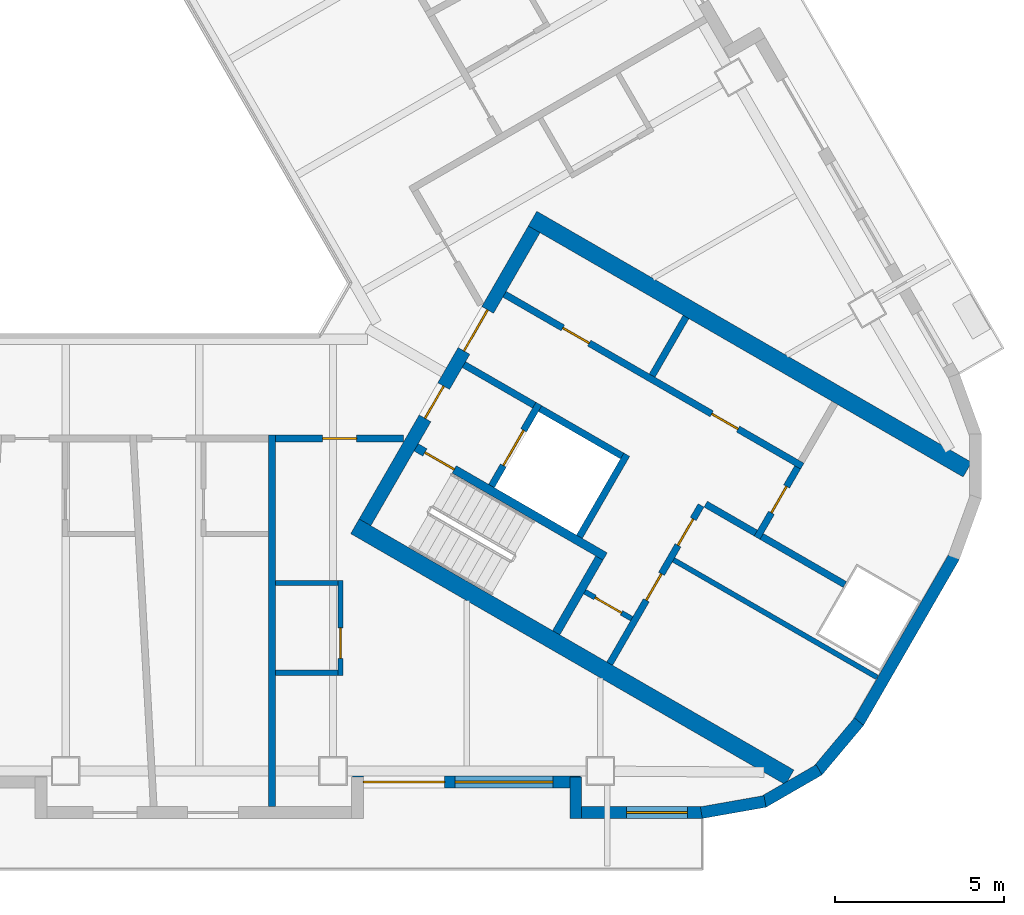
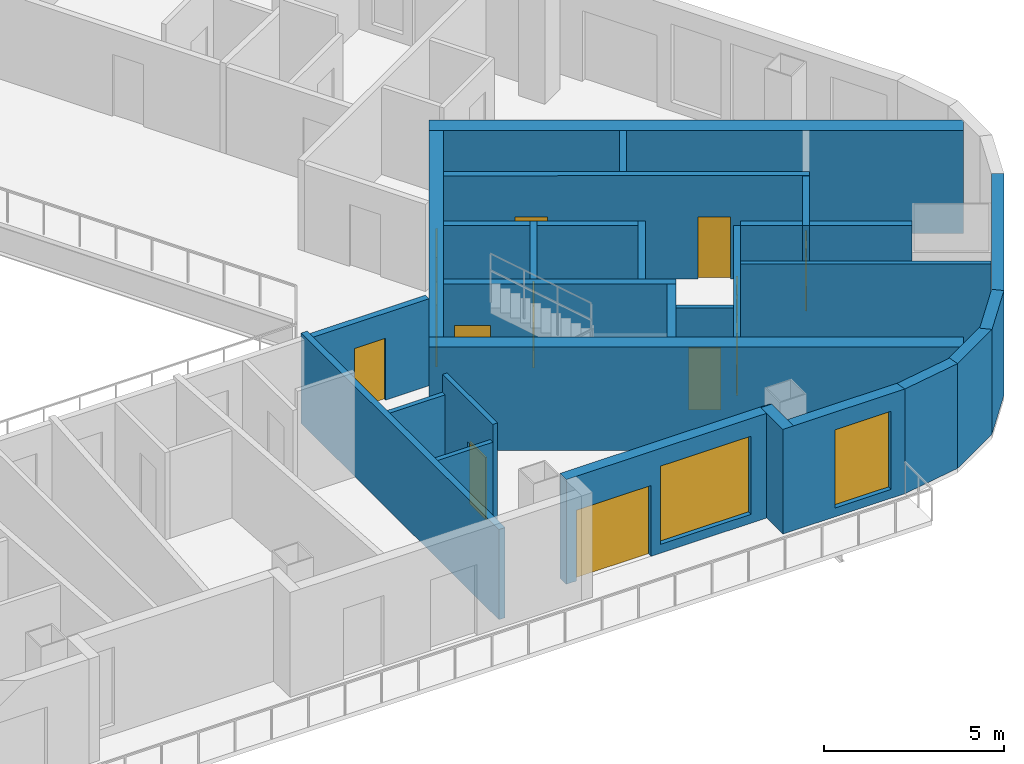
# One storey, part 5 of 14: 29 walls, 13 doors, 2 windows, 15 openings.
"""IFC4 building model written with IfcOpenShell, lengths in metres."""

from ifc_helpers import new_model, si_unit, direction, frame, frame_2d, origin, place, context, subcontext, project, spatial, rectangle, extrude, material, layer, layer_set, type_object, element, fill, save


model = new_model("IFC4")

# Units and contexts
model_context = context("Model", 3, precision=1e-05, world=origin(), true_north=direction((0.0, 1.0)))
body_context = subcontext(model_context, "Body", "Model", "MODEL_VIEW")
ifc_project = project(units=[si_unit("LENGTHUNIT", "METRE"), si_unit("AREAUNIT", "SQUARE_METRE"), si_unit("VOLUMEUNIT", "CUBIC_METRE"), si_unit("PLANEANGLEUNIT", "RADIAN"), si_unit("MASSUNIT", "GRAM", prefix="KILO")], contexts=[model_context])

# Site, building, storey
site_placement = place(None, origin())
site = spatial("IfcSite", under=ifc_project, at=site_placement, CompositionType="ELEMENT")
building_placement = place(site_placement, origin())
building = spatial("IfcBuilding", under=site, at=building_placement, Name="Apuvela Tower Hotel", CompositionType="ELEMENT")
storey_placement = place(building_placement, frame((0.0, 0.0, 150.300048828125)))
storey = spatial("IfcBuildingStorey", under=building, at=storey_placement, Name="L35", CompositionType="ELEMENT", Elevation=150.300048828125)

# Wall, openings, doors
ifc_material_1 = material(Name="Concrete C50/60", Category="concrete")
ifc_layer_1 = layer(ifc_material_1, 0.39990234375)
ifc_layer_set_1 = layer_set([ifc_layer_1], Name="COR-WALL-CORE-400")
wall_type_1 = type_object("IfcWallType", Name="COR-WALL-CORE-400", PredefinedType="SHEAR", material=ifc_layer_set_1)
wall_1_placement = place(storey_placement, frame((8.844970703125, -10.880126953125, 0.0), z_axis=(0.0, 0.0, 1.0), x_axis=(0.500004234368, 0.866022959057, 0.0)))
wall_1 = element("IfcWall", 1, at=wall_1_placement, inside=storey, type_object=wall_type_1, Name="Core wall SE", PredefinedType="SHEAR", context=body_context, shape_type="SweptSolid", body=[
    extrude(rectangle(XDim=10.0, YDim=0.39990234375, at=frame_2d((5.0, 0.0))), origin(), (0.0, 0.0, 1.0), 3.5),
])
opening_1_placement = place(wall_1_placement, frame((3.550048828125, 0.0, 0.0)))
opening_1 = element("IfcOpeningElement", 2, at=opening_1_placement, cuts=wall_1, Name="Opening E-FD", PredefinedType="OPENING", context=body_context, shape_type="SweptSolid", body=[
    extrude(rectangle(XDim=1.10009765625, YDim=2.10009765625, at=frame_2d((0.550048828125, 1.050048828125))), frame((0.0, 0.2099609375, 0.0), z_axis=(0.0, -1.0, 0.0), x_axis=(1.0, 0.0, 0.0)), (0.0, 0.0, 1.0), 0.419921875),
])
opening_2_placement = place(wall_1_placement, frame((5.85009765625, 0.0, 0.0)))
opening_2 = element("IfcOpeningElement", 3, at=opening_2_placement, cuts=wall_1, Name="Opening E-GD", PredefinedType="OPENING", context=body_context, shape_type="SweptSolid", body=[
    extrude(rectangle(XDim=1.39990234375, YDim=2.10009765625, at=frame_2d((0.699951171875, 1.050048828125))), frame((0.0, 0.2099609375, 0.0), z_axis=(0.0, -1.0, 0.0), x_axis=(1.0, 0.0, 0.0)), (0.0, 0.0, 1.0), 0.419921875),
])
ifc_material_2 = material(Name="Steel fire door, powder coated", Category="steel")
door_type_1 = type_object("IfcDoorType", Name="COR-FD-1100", OperationType="NOTDEFINED", PredefinedType="DOOR", material=ifc_material_2)
door_1_placement = place(opening_1_placement, frame((1.10009765625, 0.0, 0.0), z_axis=(0.0, 0.0, 1.0), x_axis=(-1.0, 0.0, 0.0)))
door_1 = element("IfcDoor", 4, at=door_1_placement, inside=storey, type_object=door_type_1, Name="Firefighting lobby door E-FD", OperationType="SINGLE_SWING_LEFT", OverallHeight=2.10009765625, OverallWidth=1.10009765625, PredefinedType="DOOR", context=body_context, shape_type="SweptSolid", body=[
    extrude(rectangle(XDim=1.10009765625, YDim=2.10009765625, at=frame_2d((0.550048828125, 1.050048828125))), frame((0.0, 0.02490234375, 0.0), z_axis=(0.0, -1.0, 0.0), x_axis=(1.0, 0.0, 0.0)), (0.0, 0.0, 1.0), 0.050048828125),
])
fill(opening_1, door_1)
ifc_material_3 = material(Name="Glazed steel fire door", Category="steel")
door_type_2 = type_object("IfcDoorType", Name="COR-GD-1400", OperationType="DOUBLE_DOOR_SINGLE_SWING", PredefinedType="DOOR", material=ifc_material_3)
door_2_placement = place(opening_2_placement, frame((1.39990234375, 0.0, 0.0), z_axis=(0.0, 0.0, 1.0), x_axis=(-1.0, 0.0, 0.0)))
door_2 = element("IfcDoor", 5, at=door_2_placement, inside=storey, type_object=door_type_2, Name="Lift lobby door E-GD", OperationType="DOUBLE_DOOR_SINGLE_SWING", OverallHeight=2.10009765625, OverallWidth=1.39990234375, PredefinedType="DOOR", context=body_context, shape_type="SweptSolid", body=[
    extrude(rectangle(XDim=1.39990234375, YDim=2.10009765625, at=frame_2d((0.699951171875, 1.050048828125))), frame((0.0, 0.02490234375, 0.0), z_axis=(0.0, -1.0, 0.0), x_axis=(1.0, 0.0, 0.0)), (0.0, 0.0, 1.0), 0.050048828125),
])
fill(opening_2, door_2)

# Walls
ifc_layer_2 = layer(ifc_material_1, 0.5)
ifc_layer_set_2 = layer_set([ifc_layer_2], Name="COR-WALL-CORE-500")
wall_type_2 = type_object("IfcWallType", Name="COR-WALL-CORE-500", PredefinedType="SHEAR", material=ifc_layer_set_2)
for number, where, z_axis, x_axis, name in (
    (6, (8.546630859375, -10.99658203125, 0.0), (0.0, 0.0, 1.0), (0.866025009528, -0.500000682871, 0.0), "Core wall SE"),
    (7, (13.796630859375, -1.9033203125, 0.0), (0.0, 0.0, 1.0), (0.866025009528, -0.500000682871, 0.0), "Core wall SE"),
):
    element("IfcWall", number, at=place(storey_placement, frame(where, z_axis=z_axis, x_axis=x_axis)), inside=storey, type_object=wall_type_2, Name=name, PredefinedType="SHEAR", context=body_context, shape_type="SweptSolid", body=[
        extrude(rectangle(XDim=14.8369140625, YDim=0.5, at=frame_2d((7.41845703125, 0.0))), origin(), (0.0, 0.0, 1.0), 3.5),
    ])

# Wall, opening, door
ifc_material_4 = material(Name="Blockwork 150 mm plastered", Category="masonry")
ifc_layer_3 = layer(ifc_material_4, 0.14990234375)
ifc_layer_set_3 = layer_set([ifc_layer_3], Name="COR-WALL-PART-150")
wall_type_3 = type_object("IfcWallType", Name="COR-WALL-PART-150", PredefinedType="PARTITIONING", material=ifc_layer_set_3)
wall_2_placement = place(storey_placement, frame((15.341552734375, -12.927734375, 0.0), z_axis=(0.0, 0.0, 1.0), x_axis=(0.865989903783, -0.500061482766, 0.0)))
wall_2 = element("IfcWall", 8, at=wall_2_placement, inside=storey, type_object=wall_type_3, Name="Partition SE", PredefinedType="PARTITIONING", context=body_context, shape_type="SweptSolid", body=[
    extrude(rectangle(XDim=1.599853515625, YDim=0.14990234375, at=frame_2d((0.7998046875, 0.0))), origin(), (0.0, 0.0, 1.0), 3.5),
])
opening_3_placement = place(wall_2_placement, frame((0.35009765625, 0.0, 0.0)))
opening_3 = element("IfcOpeningElement", 9, at=opening_3_placement, cuts=wall_2, Name="Opening E-RD", PredefinedType="OPENING", context=body_context, shape_type="SweptSolid", body=[
    extrude(rectangle(XDim=0.89990234375, YDim=2.10009765625, at=frame_2d((0.449951171875, 1.050048828125))), frame((0.0, 0.0849609375, 0.0), z_axis=(0.0, -1.0, 0.0), x_axis=(1.0, 0.0, 0.0)), (0.0, 0.0, 1.0), 0.169921875),
])
ifc_material_5 = material(Name="Steel access door, powder coated", Category="steel")
door_type_3 = type_object("IfcDoorType", Name="COR-RD-900", OperationType="NOTDEFINED", PredefinedType="DOOR", material=ifc_material_5)
door_3_placement = place(opening_3_placement, frame((0.89990234375, 0.0, 0.0), z_axis=(0.0, 0.0, 1.0), x_axis=(-1.0, 0.0, 0.0)))
door_3 = element("IfcDoor", 10, at=door_3_placement, inside=storey, type_object=door_type_3, Name="Riser door E-RD", OperationType="SINGLE_SWING_LEFT", OverallHeight=2.10009765625, OverallWidth=0.89990234375, PredefinedType="DOOR", context=body_context, shape_type="SweptSolid", body=[
    extrude(rectangle(XDim=0.89990234375, YDim=2.10009765625, at=frame_2d((0.449951171875, 1.050048828125))), frame((0.0, 0.02490234375, 0.0), z_axis=(0.0, -1.0, 0.0), x_axis=(1.0, 0.0, 0.0)), (0.0, 0.0, 1.0), 0.050048828125),
])
fill(opening_3, door_3)

# Wall
wall_3_placement = place(storey_placement, frame((17.962890625, -11.9873046875, 0.0), z_axis=(0.0, 0.0, 1.0), x_axis=(0.866016523273, -0.500015381182, 0.0)))
element("IfcWall", 11, at=wall_3_placement, inside=storey, type_object=wall_type_3, Name="Partition SE", PredefinedType="PARTITIONING", context=body_context, shape_type="SweptSolid", body=[
    extrude(rectangle(XDim=6.949951171875, YDim=0.14990234375, at=frame_2d((3.47509765625, 0.0))), origin(), (0.0, 0.0, 1.0), 3.5),
])

# Wall, openings, doors
ifc_material_6 = material(Name="Blockwork 200 mm plastered", Category="masonry")
ifc_layer_4 = layer(ifc_material_6, 0.199951171875)
ifc_layer_set_4 = layer_set([ifc_layer_4], Name="COR-WALL-PART-200")
wall_type_4 = type_object("IfcWallType", Name="COR-WALL-PART-200", PredefinedType="PARTITIONING", material=ifc_layer_set_4)
wall_4_placement = place(storey_placement, frame((16.076171875, -15.05517578125, 0.0), z_axis=(0.0, 0.0, 1.0), x_axis=(0.499995103361, 0.866028230842, 0.0)))
wall_4 = element("IfcWall", 12, at=wall_4_placement, inside=storey, type_object=wall_type_4, Name="Partition SE", PredefinedType="PARTITIONING", context=body_context, shape_type="SweptSolid", body=[
    extrude(rectangle(XDim=5.39990234375, YDim=0.199951171875, at=frame_2d((2.699951171875, 0.0))), origin(), (0.0, 0.0, 1.0), 3.5),
])
opening_4_placement = place(wall_4_placement, frame((2.16259765625, 0.0, 0.0)))
opening_4 = element("IfcOpeningElement", 13, at=opening_4_placement, cuts=wall_4, Name="Opening E-RS1", PredefinedType="OPENING", context=body_context, shape_type="SweptSolid", body=[
    extrude(rectangle(XDim=0.89990234375, YDim=2.10009765625, at=frame_2d((0.449951171875, 1.050048828125))), frame((0.0, 0.10986328125, 0.0), z_axis=(0.0, -1.0, 0.0), x_axis=(1.0, 0.0, 0.0)), (0.0, 0.0, 1.0), 0.219970703125),
])
opening_5_placement = place(wall_4_placement, frame((4.03759765625, 0.0, 0.0)))
opening_5 = element("IfcOpeningElement", 14, at=opening_5_placement, cuts=wall_4, Name="Opening E-RS2", PredefinedType="OPENING", context=body_context, shape_type="SweptSolid", body=[
    extrude(rectangle(XDim=0.89990234375, YDim=2.10009765625, at=frame_2d((0.449951171875, 1.050048828125))), frame((0.0, 0.10986328125, 0.0), z_axis=(0.0, -1.0, 0.0), x_axis=(1.0, 0.0, 0.0)), (0.0, 0.0, 1.0), 0.219970703125),
])
door_type_4 = type_object("IfcDoorType", Name="COR-DR-900", OperationType="NOTDEFINED", PredefinedType="DOOR", material=ifc_material_2)
door_4_placement = place(opening_4_placement, frame((0.89990234375, 0.0, 0.0), z_axis=(0.0, 0.0, 1.0), x_axis=(-1.0, 0.0, 0.0)))
door_4 = element("IfcDoor", 15, at=door_4_placement, inside=storey, type_object=door_type_4, Name="Store door E-RS1", OperationType="SINGLE_SWING_LEFT", OverallHeight=2.10009765625, OverallWidth=0.89990234375, PredefinedType="DOOR", context=body_context, shape_type="SweptSolid", body=[
    extrude(rectangle(XDim=0.89990234375, YDim=2.10009765625, at=frame_2d((0.449951171875, 1.050048828125))), frame((0.0, 0.02490234375, 0.0), z_axis=(0.0, -1.0, 0.0), x_axis=(1.0, 0.0, 0.0)), (0.0, 0.0, 1.0), 0.050048828125),
])
fill(opening_4, door_4)
door_5_placement = place(opening_5_placement, frame((0.89990234375, 0.0, 0.0), z_axis=(0.0, 0.0, 1.0), x_axis=(-1.0, 0.0, 0.0)))
door_5 = element("IfcDoor", 16, at=door_5_placement, inside=storey, type_object=door_type_4, Name="Store door E-RS2", OperationType="SINGLE_SWING_LEFT", OverallHeight=2.10009765625, OverallWidth=0.89990234375, PredefinedType="DOOR", context=body_context, shape_type="SweptSolid", body=[
    extrude(rectangle(XDim=0.89990234375, YDim=2.10009765625, at=frame_2d((0.449951171875, 1.050048828125))), frame((0.0, 0.02490234375, 0.0), z_axis=(0.0, -1.0, 0.0), x_axis=(1.0, 0.0, 0.0)), (0.0, 0.0, 1.0), 0.050048828125),
])
fill(opening_5, door_5)

# Wall
ifc_layer_5 = layer(ifc_material_1, 0.199951171875)
ifc_layer_set_5 = layer_set([ifc_layer_5], Name="COR-WALL-SHAFT-200")
wall_type_5 = type_object("IfcWallType", Name="COR-WALL-SHAFT-200", PredefinedType="SHEAR", material=ifc_layer_set_5)
wall_5_placement = place(storey_placement, frame((15.181396484375, -11.305419921875, 0.0), z_axis=(0.0, 0.0, 1.0), x_axis=(0.49994636267, 0.866056369097, 0.0)))
element("IfcWall", 17, at=wall_5_placement, inside=storey, type_object=wall_type_5, Name="Shaft wall SE", PredefinedType="SHEAR", context=body_context, shape_type="SweptSolid", body=[
    extrude(rectangle(XDim=2.800048828125, YDim=0.199951171875, at=frame_2d((1.39990234375, 0.0))), origin(), (0.0, 0.0, 1.0), 3.5),
])

# Wall, opening, door
wall_6_placement = place(storey_placement, frame((12.583251953125, -9.805419921875, 0.0), z_axis=(0.0, 0.0, 1.0), x_axis=(0.49994636267, 0.866056369097, 0.0)))
wall_6 = element("IfcWall", 18, at=wall_6_placement, inside=storey, type_object=wall_type_5, Name="Shaft wall SE", PredefinedType="SHEAR", context=body_context, shape_type="SweptSolid", body=[
    extrude(rectangle(XDim=2.800048828125, YDim=0.199951171875, at=frame_2d((1.39990234375, 0.0))), origin(), (0.0, 0.0, 1.0), 3.5),
])
opening_6_placement = place(wall_6_placement, frame((0.699951171875, 0.0, 0.0)))
opening_6 = element("IfcOpeningElement", 19, at=opening_6_placement, cuts=wall_6, Name="Opening E-LD-FS3", PredefinedType="OPENING", context=body_context, shape_type="SweptSolid", body=[
    extrude(rectangle(XDim=1.199951171875, YDim=2.10009765625, at=frame_2d((0.60009765625, 1.050048828125))), frame((0.0, 0.10986328125, 0.0), z_axis=(0.0, -1.0, 0.0), x_axis=(1.0, 0.0, 0.0)), (0.0, 0.0, 1.0), 0.219970703125),
])
ifc_material_7 = material(Name="Stainless steel lift landing door", Category="steel")
door_type_5 = type_object("IfcDoorType", Name="COR-LD-1200", OperationType="DOUBLE_DOOR_SLIDING", PredefinedType="DOOR", material=ifc_material_7)
door_6_placement = place(opening_6_placement, origin())
door_6 = element("IfcDoor", 20, at=door_6_placement, inside=storey, type_object=door_type_5, Name="Lift landing door E-LD-FS3", OperationType="DOUBLE_DOOR_SLIDING", OverallHeight=2.10009765625, OverallWidth=1.199951171875, PredefinedType="DOOR", context=body_context, shape_type="SweptSolid", body=[
    extrude(rectangle(XDim=1.199951171875, YDim=2.10009765625, at=frame_2d((0.60009765625, 1.050048828125))), frame((0.0, 0.02490234375, 0.0), z_axis=(0.0, -1.0, 0.0), x_axis=(1.0, 0.0, 0.0)), (0.0, 0.0, 1.0), 0.050048828125),
])
fill(opening_6, door_6)

# Walls
wall_7_placement = place(storey_placement, frame((11.76806640625, -6.217041015625, 0.0), z_axis=(0.0, 0.0, 1.0), x_axis=(0.866050077142, -0.499957262057, 0.0)))
element("IfcWall", 21, at=wall_7_placement, inside=storey, type_object=wall_type_5, Name="Shaft wall SE", PredefinedType="SHEAR", context=body_context, shape_type="SweptSolid", body=[
    extrude(rectangle(XDim=2.400146484375, YDim=0.199951171875, at=frame_2d((1.2001953125, 0.0))), origin(), (0.0, 0.0, 1.0), 3.5),
])
wall_8_placement = place(storey_placement, frame((14.019775390625, -7.51708984375, 0.0), z_axis=(0.0, 0.0, 1.0), x_axis=(0.866034573852, -0.49998411664, 0.0)))
element("IfcWall", 22, at=wall_8_placement, inside=storey, type_object=wall_type_5, Name="Shaft wall SE", PredefinedType="SHEAR", context=body_context, shape_type="SweptSolid", body=[
    extrude(rectangle(XDim=2.7998046875, YDim=0.199951171875, at=frame_2d((1.39990234375, 0.0))), origin(), (0.0, 0.0, 1.0), 3.5),
])

# Wall, openings, doors
wall_9_placement = place(storey_placement, frame((12.968017578125, -4.138427734375, 0.0), z_axis=(0.0, 0.0, 1.0), x_axis=(0.866028328073, -0.49999493495, 0.0)))
wall_9 = element("IfcWall", 23, at=wall_9_placement, inside=storey, type_object=wall_type_5, Name="Shaft wall SE", PredefinedType="SHEAR", context=body_context, shape_type="SweptSolid", body=[
    extrude(rectangle(XDim=10.16015625, YDim=0.199951171875, at=frame_2d((5.080078125, 0.0))), origin(), (0.0, 0.0, 1.0), 3.5),
])
opening_7_placement = place(wall_9_placement, frame((1.989990234375, 0.0, 0.0)))
opening_7 = element("IfcOpeningElement", 24, at=opening_7_placement, cuts=wall_9, Name="Opening E-RE1", PredefinedType="OPENING", context=body_context, shape_type="SweptSolid", body=[
    extrude(rectangle(XDim=0.89990234375, YDim=2.10009765625, at=frame_2d((0.449951171875, 1.050048828125))), frame((0.0, 0.10986328125, 0.0), z_axis=(0.0, -1.0, 0.0), x_axis=(1.0, 0.0, 0.0)), (0.0, 0.0, 1.0), 0.219970703125),
])
opening_8_placement = place(wall_9_placement, frame((7.070068359375, 0.0, 0.0)))
opening_8 = element("IfcOpeningElement", 25, at=opening_8_placement, cuts=wall_9, Name="Opening E-RE3", PredefinedType="OPENING", context=body_context, shape_type="SweptSolid", body=[
    extrude(rectangle(XDim=0.89990234375, YDim=2.10009765625, at=frame_2d((0.449951171875, 1.050048828125))), frame((0.0, 0.10986328125, 0.0), z_axis=(0.0, -1.0, 0.0), x_axis=(1.0, 0.0, 0.0)), (0.0, 0.0, 1.0), 0.219970703125),
])
door_7_placement = place(opening_7_placement, origin())
door_7 = element("IfcDoor", 26, at=door_7_placement, inside=storey, type_object=door_type_4, Name="Store door E-RE1", OperationType="SINGLE_SWING_LEFT", OverallHeight=2.10009765625, OverallWidth=0.89990234375, PredefinedType="DOOR", context=body_context, shape_type="SweptSolid", body=[
    extrude(rectangle(XDim=0.89990234375, YDim=2.10009765625, at=frame_2d((0.449951171875, 1.050048828125))), frame((0.0, 0.02490234375, 0.0), z_axis=(0.0, -1.0, 0.0), x_axis=(1.0, 0.0, 0.0)), (0.0, 0.0, 1.0), 0.050048828125),
])
fill(opening_7, door_7)
door_8_placement = place(opening_8_placement, origin())
door_8 = element("IfcDoor", 27, at=door_8_placement, inside=storey, type_object=door_type_4, Name="Store door E-RE3", OperationType="SINGLE_SWING_LEFT", OverallHeight=2.10009765625, OverallWidth=0.89990234375, PredefinedType="DOOR", context=body_context, shape_type="SweptSolid", body=[
    extrude(rectangle(XDim=0.89990234375, YDim=2.10009765625, at=frame_2d((0.449951171875, 1.050048828125))), frame((0.0, 0.02490234375, 0.0), z_axis=(0.0, -1.0, 0.0), x_axis=(1.0, 0.0, 0.0)), (0.0, 0.0, 1.0), 0.050048828125),
])
fill(opening_8, door_8)

# Wall, opening, door
wall_10_placement = place(storey_placement, frame((20.430419921875, -11.33349609375, 0.0), z_axis=(0.0, 0.0, 1.0), x_axis=(0.500001309137, 0.866024647952, 0.0)))
wall_10 = element("IfcWall", 28, at=wall_10_placement, inside=storey, type_object=wall_type_5, Name="Shaft wall SE", PredefinedType="SHEAR", context=body_context, shape_type="SweptSolid", body=[
    extrude(rectangle(XDim=2.39990234375, YDim=0.199951171875, at=frame_2d((1.199951171875, 0.0))), origin(), (0.0, 0.0, 1.0), 3.5),
])
opening_9_placement = place(wall_10_placement, frame((0.85009765625, 0.0, 0.0)))
opening_9 = element("IfcOpeningElement", 29, at=opening_9_placement, cuts=wall_10, Name="Opening E-REP", PredefinedType="OPENING", context=body_context, shape_type="SweptSolid", body=[
    extrude(rectangle(XDim=0.89990234375, YDim=2.10009765625, at=frame_2d((0.449951171875, 1.050048828125))), frame((0.0, 0.10986328125, 0.0), z_axis=(0.0, -1.0, 0.0), x_axis=(1.0, 0.0, 0.0)), (0.0, 0.0, 1.0), 0.219970703125),
])
door_9_placement = place(opening_9_placement, frame((0.89990234375, 0.0, 0.0), z_axis=(0.0, 0.0, 1.0), x_axis=(-1.0, 0.0, 0.0)))
door_9 = element("IfcDoor", 30, at=door_9_placement, inside=storey, type_object=door_type_4, Name="Store door E-REP", OperationType="SINGLE_SWING_RIGHT", OverallHeight=2.10009765625, OverallWidth=0.89990234375, PredefinedType="DOOR", context=body_context, shape_type="SweptSolid", body=[
    extrude(rectangle(XDim=0.89990234375, YDim=2.10009765625, at=frame_2d((0.449951171875, 1.050048828125))), frame((0.0, 0.02490234375, 0.0), z_axis=(0.0, -1.0, 0.0), x_axis=(1.0, 0.0, 0.0)), (0.0, 0.0, 1.0), 0.050048828125),
])
fill(opening_9, door_9)

# Walls
wall_11_placement = place(storey_placement, frame((18.912841796875, -10.342041015625, 0.0), z_axis=(0.0, 0.0, 1.0), x_axis=(0.866038183914, -0.499977863513, 0.0)))
element("IfcWall", 31, at=wall_11_placement, inside=storey, type_object=wall_type_5, Name="Shaft wall SE", PredefinedType="SHEAR", context=body_context, shape_type="SweptSolid", body=[
    extrude(rectangle(XDim=1.7099609375, YDim=0.199951171875, at=frame_2d((0.85498046875, 0.0))), origin(), (0.0, 0.0, 1.0), 3.5),
])
wall_12_placement = place(storey_placement, frame((17.330810546875, -6.5419921875, 0.0), z_axis=(0.0, 0.0, 1.0), x_axis=(0.499972520799, 0.866041268327, 0.0)))
element("IfcWall", 32, at=wall_12_placement, inside=storey, type_object=wall_type_5, Name="Shaft wall SE", PredefinedType="SHEAR", context=body_context, shape_type="SweptSolid", body=[
    extrude(rectangle(XDim=2.0, YDim=0.199951171875, at=frame_2d((1.0, 0.0))), origin(), (0.0, 0.0, 1.0), 3.5),
])
wall_13_placement = place(storey_placement, frame((20.56689453125, -11.297119140625, 0.0), z_axis=(0.0, 0.0, 1.0), x_axis=(0.866055327414, -0.49994816717, 0.0)))
element("IfcWall", 33, at=wall_13_placement, inside=storey, type_object=wall_type_5, Name="Shaft wall SE", PredefinedType="SHEAR", context=body_context, shape_type="SweptSolid", body=[
    extrude(rectangle(XDim=2.840087890625, YDim=0.199951171875, at=frame_2d((1.419921875, 0.0))), origin(), (0.0, 0.0, 1.0), 3.5),
])

# Wall, opening, door
ifc_layer_6 = layer(ifc_material_1, 0.25)
ifc_layer_set_6 = layer_set([ifc_layer_6], Name="COR-WALL-STAIR-250")
wall_type_6 = type_object("IfcWallType", Name="COR-WALL-STAIR-250", PredefinedType="SHEAR", material=ifc_layer_set_6)
wall_14_placement = place(storey_placement, frame((10.355712890625, -8.66357421875, 0.0), z_axis=(0.0, 0.0, 1.0), x_axis=(0.866028629588, -0.499994412703, 0.0)))
wall_14 = element("IfcWall", 34, at=wall_14_placement, inside=storey, type_object=wall_type_6, Name="Stair wall SE", PredefinedType="SHEAR", context=body_context, shape_type="SweptSolid", body=[
    extrude(rectangle(XDim=6.44970703125, YDim=0.25, at=frame_2d((3.224853515625, 0.0))), origin(), (0.0, 0.0, 1.0), 3.5),
])
opening_10_placement = place(wall_14_placement, frame((0.300048828125, 0.0, 0.0)))
opening_10 = element("IfcOpeningElement", 35, at=opening_10_placement, cuts=wall_14, Name="Opening E-SD", PredefinedType="OPENING", context=body_context, shape_type="SweptSolid", body=[
    extrude(rectangle(XDim=1.0, YDim=2.10009765625, at=frame_2d((0.5, 1.050048828125))), frame((0.0, 0.135009765625, 0.0), z_axis=(0.0, -1.0, 0.0), x_axis=(1.0, 0.0, 0.0)), (0.0, 0.0, 1.0), 0.27001953125),
])
door_type_6 = type_object("IfcDoorType", Name="COR-SD-1000", OperationType="NOTDEFINED", PredefinedType="DOOR", material=ifc_material_2)
door_10_placement = place(opening_10_placement, frame((1.0, 0.0, 0.0), z_axis=(0.0, 0.0, 1.0), x_axis=(-1.0, 0.0, 0.0)))
door_10 = element("IfcDoor", 36, at=door_10_placement, inside=storey, type_object=door_type_6, Name="Stair door E-SD", OperationType="SINGLE_SWING_LEFT", OverallHeight=2.10009765625, OverallWidth=1.0, PredefinedType="DOOR", context=body_context, shape_type="SweptSolid", body=[
    extrude(rectangle(XDim=1.0, YDim=2.10009765625, at=frame_2d((0.5, 1.050048828125))), frame((0.0, 0.02490234375, 0.0), z_axis=(0.0, -1.0, 0.0), x_axis=(1.0, 0.0, 0.0)), (0.0, 0.0, 1.0), 0.050048828125),
])
fill(opening_10, door_10)

# Wall
wall_15_placement = place(storey_placement, frame((14.49560546875, -14.142578125, 0.0), z_axis=(0.0, 0.0, 1.0), x_axis=(0.500062241894, 0.865989465428, 0.0)))
element("IfcWall", 37, at=wall_15_placement, inside=storey, type_object=wall_type_6, Name="Stair wall SE", PredefinedType="SHEAR", context=body_context, shape_type="SweptSolid", body=[
    extrude(rectangle(XDim=2.550048828125, YDim=0.25, at=frame_2d((1.27490234375, 0.0))), origin(), (0.0, 0.0, 1.0), 3.5),
])

# Wall, openings, door, window
ifc_material_8 = material(Name="Concrete C40/50, dark pigmented precast panel", Category="concrete")
ifc_layer_7 = layer(ifc_material_8, 0.35009765625)
ifc_layer_set_7 = layer_set([ifc_layer_7], Name="ENV-WALL-350")
wall_type_7 = type_object("IfcWallType", Name="ENV-WALL-350", PredefinedType="SOLIDWALL", material=ifc_layer_set_7)
wall_16_placement = place(storey_placement, frame((8.47998046875, -18.554931640625, 0.0), z_axis=(0.0, 0.0, 1.0), x_axis=(1.0, 0.0, 0.0)))
wall_16 = element("IfcWall", 38, at=wall_16_placement, inside=storey, type_object=wall_type_7, Name="External wall L35-23", PredefinedType="SOLIDWALL", context=body_context, shape_type="SweptSolid", body=[
    extrude(rectangle(XDim=6.739990234375, YDim=0.35009765625, at=frame_2d((3.3701171875, 0.0))), origin(), (0.0, 0.0, 1.0), 3.550048828125),
])
opening_11_placement = place(wall_16_placement, frame((0.3203125, 0.0, 0.0)))
opening_11 = element("IfcOpeningElement", 39, at=opening_11_placement, cuts=wall_16, Name="Opening BD24", PredefinedType="OPENING", context=body_context, shape_type="SweptSolid", body=[
    extrude(rectangle(XDim=2.39990234375, YDim=2.39990234375, at=frame_2d((1.199951171875, 1.199951171875))), frame((0.0, 0.18505859375, 0.0), z_axis=(0.0, -1.0, 0.0), x_axis=(1.0, 0.0, 0.0)), (0.0, 0.0, 1.0), 0.3701171875),
])
opening_12_placement = place(wall_16_placement, frame((3.020263671875, 0.0, 0.300048828125)))
opening_12 = element("IfcOpeningElement", 40, at=opening_12_placement, cuts=wall_16, Name="Opening WN29", PredefinedType="OPENING", context=body_context, shape_type="SweptSolid", body=[
    extrude(rectangle(XDim=2.89990234375, YDim=2.64990234375, at=frame_2d((1.449951171875, 1.324951171875))), frame((0.0, 0.18505859375, 0.0), z_axis=(0.0, -1.0, 0.0), x_axis=(1.0, 0.0, 0.0)), (0.0, 0.0, 1.0), 0.3701171875),
])
ifc_material_9 = material(Name="Aluminium 6063-T6, dark bronze anodised frame with dark tinted laminated glass", Category="aluminium")
door_type_7 = type_object("IfcDoorType", Name="ENV-DOOR-BALCONY-2400x2400", OperationType="SLIDING_TO_LEFT", PredefinedType="DOOR", material=ifc_material_9)
door_11_placement = place(opening_11_placement, frame((2.39990234375, 0.0, 0.0), z_axis=(0.0, 0.0, 1.0), x_axis=(-1.0, 0.0, 0.0)))
door_11 = element("IfcDoor", 41, at=door_11_placement, inside=storey, type_object=door_type_7, Name="Balcony door BD24", OperationType="SLIDING_TO_LEFT", OverallHeight=2.39990234375, OverallWidth=2.39990234375, PredefinedType="DOOR", context=body_context, shape_type="SweptSolid", body=[
    extrude(rectangle(XDim=2.39990234375, YDim=2.39990234375, at=frame_2d((1.199951171875, 1.199951171875))), frame((0.0, 0.02490234375, 0.0), z_axis=(0.0, -1.0, 0.0), x_axis=(1.0, 0.0, 0.0)), (0.0, 0.0, 1.0), 0.050048828125),
])
fill(opening_11, door_11)
ifc_material_10 = material(Name="Glass, dark tinted laminated insulated glazing unit", Category="glass")
window_type_1 = type_object("IfcWindowType", Name="ENV-WIN-2900x2650", PartitioningType="SINGLE_PANEL", PredefinedType="WINDOW", material=ifc_material_10)
window_1_placement = place(opening_12_placement, origin())
window_1 = element("IfcWindow", 42, at=window_1_placement, inside=storey, type_object=window_type_1, Name="Window WN29", OverallHeight=2.64990234375, OverallWidth=2.89990234375, PartitioningType="SINGLE_PANEL", PredefinedType="WINDOW", context=body_context, shape_type="SweptSolid", body=[
    extrude(rectangle(XDim=2.89990234375, YDim=2.64990234375, at=frame_2d((1.449951171875, 1.324951171875))), frame((0.0, 0.030029296875, 0.0), z_axis=(0.0, -1.0, 0.0), x_axis=(1.0, 0.0, 0.0)), (0.0, 0.0, 1.0), 0.06005859375),
])
fill(opening_12, window_1)

# Wall
wall_17_placement = place(storey_placement, frame((15.074951171875, -18.409912109375, 0.0), z_axis=(0.0, 0.0, 1.0), x_axis=(0.0, -1.0, 0.0)))
element("IfcWall", 43, at=wall_17_placement, inside=storey, type_object=wall_type_7, Name="External wall L35-24", PredefinedType="SOLIDWALL", context=body_context, shape_type="SweptSolid", body=[
    extrude(rectangle(XDim=1.219970703125, YDim=0.35009765625, at=frame_2d((0.60986328125, 0.0))), origin(), (0.0, 0.0, 1.0), 3.550048828125),
])

# Wall, opening, window
wall_18_placement = place(storey_placement, frame((14.89990234375, -19.455078125, 0.0), z_axis=(0.0, 0.0, 1.0), x_axis=(1.0, 0.0, 0.0)))
wall_18 = element("IfcWall", 44, at=wall_18_placement, inside=storey, type_object=wall_type_7, Name="External wall L35-25", PredefinedType="SOLIDWALL", context=body_context, shape_type="SweptSolid", body=[
    extrude(rectangle(XDim=3.916015625, YDim=0.35009765625, at=frame_2d((1.9580078125, 0.0))), origin(), (0.0, 0.0, 1.0), 3.550048828125),
])
opening_13_placement = place(wall_18_placement, frame((1.674560546875, 0.0, 0.300048828125)))
opening_13 = element("IfcOpeningElement", 45, at=opening_13_placement, cuts=wall_18, Name="Opening WN18", PredefinedType="OPENING", context=body_context, shape_type="SweptSolid", body=[
    extrude(rectangle(XDim=1.800048828125, YDim=2.64990234375, at=frame_2d((0.89990234375, 1.324951171875))), frame((0.0, 0.18505859375, 0.0), z_axis=(0.0, -1.0, 0.0), x_axis=(1.0, 0.0, 0.0)), (0.0, 0.0, 1.0), 0.3701171875),
])
window_type_2 = type_object("IfcWindowType", Name="ENV-WIN-1800x2650", PartitioningType="SINGLE_PANEL", PredefinedType="WINDOW", material=ifc_material_10)
window_2_placement = place(opening_13_placement, origin())
window_2 = element("IfcWindow", 46, at=window_2_placement, inside=storey, type_object=window_type_2, Name="Window WN18", OverallHeight=2.64990234375, OverallWidth=1.800048828125, PartitioningType="SINGLE_PANEL", PredefinedType="WINDOW", context=body_context, shape_type="SweptSolid", body=[
    extrude(rectangle(XDim=1.800048828125, YDim=2.64990234375, at=frame_2d((0.89990234375, 1.324951171875))), frame((0.0, 0.030029296875, 0.0), z_axis=(0.0, -1.0, 0.0), x_axis=(1.0, 0.0, 0.0)), (0.0, 0.0, 1.0), 0.06005859375),
])
fill(opening_13, window_2)

# Walls
wall_19_placement = place(storey_placement, frame((18.785400390625, -19.457763671875, 0.0), z_axis=(0.0, 0.0, 1.0), x_axis=(0.984798995425, 0.173697837091, 0.0)))
element("IfcWall", 47, at=wall_19_placement, inside=storey, type_object=wall_type_7, Name="External wall L35-26", PredefinedType="SOLIDWALL", context=body_context, shape_type="SweptSolid", body=[
    extrude(rectangle(XDim=1.91015625, YDim=0.35009765625, at=frame_2d((0.955078125, 0.0))), origin(), (0.0, 0.0, 1.0), 3.550048828125),
])
for number, where, z_axis, x_axis, name in (
    (48, (20.609619140625, -19.146728515625, 0.0), (0.0, 0.0, 1.0), (0.866000389056, 0.500043324278, 0.0), "External wall L35-27"),
    (49, (22.21728515625, -18.230712890625, 0.0), (0.0, 0.0, 1.0), (0.642733291068, 0.76609001857, 0.0), "External wall L35-28"),
):
    element("IfcWall", number, at=place(storey_placement, frame(where, z_axis=z_axis, x_axis=x_axis)), inside=storey, type_object=wall_type_7, Name=name, PredefinedType="SOLIDWALL", context=body_context, shape_type="SweptSolid", body=[
        extrude(rectangle(XDim=1.909912109375, YDim=0.35009765625, at=frame_2d((0.955078125, 0.0))), origin(), (0.0, 0.0, 1.0), 3.550048828125),
    ])
wall_20_placement = place(storey_placement, frame((23.427490234375, -16.79248046875, 0.0), z_axis=(0.0, 0.0, 1.0), x_axis=(0.500018773155, 0.866014564827, 0.0)))
element("IfcWall", 50, at=wall_20_placement, inside=storey, type_object=wall_type_7, Name="External wall L35-29", PredefinedType="SOLIDWALL", context=body_context, shape_type="SweptSolid", body=[
    extrude(rectangle(XDim=5.657958984375, YDim=0.35009765625, at=frame_2d((2.8291015625, 0.0))), origin(), (0.0, 0.0, 1.0), 3.550048828125),
])
ifc_material_11 = material(Name="Gypsum board partition on twin steel stud", Category="steel")
ifc_layer_8 = layer(ifc_material_11, 0.199951171875)
ifc_layer_set_8 = layer_set([ifc_layer_8], Name="GST-PW1")
wall_type_8 = type_object("IfcWallType", Name="GST-PW1", PredefinedType="PARTITIONING", material=ifc_layer_set_8)
wall_21_placement = place(storey_placement, frame((6.10009765625, -19.280029296875, 0.0), z_axis=(0.0, 0.0, 1.0), x_axis=(0.0, 1.0, 0.0)))
element("IfcWall", 51, at=wall_21_placement, inside=storey, type_object=wall_type_8, Name="L35 partition 04", PredefinedType="PARTITIONING", context=body_context, shape_type="SweptSolid", body=[
    extrude(rectangle(XDim=10.97998046875, YDim=0.199951171875, at=frame_2d((5.489990234375, 0.0))), origin(), (0.0, 0.0, 1.0), 3.06005859375),
])

# Wall, opening, door
ifc_material_12 = material(Name="Gypsum board corridor wall on twin steel stud, acoustic", Category="steel")
ifc_layer_9 = layer(ifc_material_12, 0.199951171875)
ifc_layer_set_9 = layer_set([ifc_layer_9], Name="GST-PW2")
wall_type_9 = type_object("IfcWallType", Name="GST-PW2", PredefinedType="PARTITIONING", material=ifc_layer_set_9)
wall_22_placement = place(storey_placement, frame((9.98828125, -8.39990234375, 0.0), z_axis=(0.0, 0.0, 1.0), x_axis=(-1.0, 0.0, 0.0)))
wall_22 = element("IfcWall", 52, at=wall_22_placement, inside=storey, type_object=wall_type_9, Name="L35 partition 24", PredefinedType="PARTITIONING", context=body_context, shape_type="SweptSolid", body=[
    extrude(rectangle(XDim=3.788330078125, YDim=0.199951171875, at=frame_2d((1.89404296875, 0.0))), origin(), (0.0, 0.0, 1.0), 2.949951171875),
])
opening_14_placement = place(wall_22_placement, frame((1.39404296875, 0.0, 0.0)))
opening_14 = element("IfcOpeningElement", 53, at=opening_14_placement, cuts=wall_22, Name="Opening GD12-10", PredefinedType="OPENING", context=body_context, shape_type="SweptSolid", body=[
    extrude(rectangle(XDim=1.0, YDim=2.10009765625, at=frame_2d((0.5, 1.050048828125))), frame((0.0, 0.10986328125, 0.0), z_axis=(0.0, -1.0, 0.0), x_axis=(1.0, 0.0, 0.0)), (0.0, 0.0, 1.0), 0.219970703125),
])
ifc_material_13 = material(Name="Timber door leaf in steel frame", Category="steel")
door_type_8 = type_object("IfcDoorType", Name="GST-D1", OperationType="NOTDEFINED", PredefinedType="DOOR", material=ifc_material_13)
door_12_placement = place(opening_14_placement, origin())
door_12 = element("IfcDoor", 54, at=door_12_placement, inside=storey, type_object=door_type_8, Name="Door L35-10", OperationType="SINGLE_SWING_RIGHT", OverallHeight=2.10009765625, OverallWidth=1.0, PredefinedType="DOOR", context=body_context, shape_type="SweptSolid", body=[
    extrude(rectangle(XDim=1.0, YDim=2.10009765625, at=frame_2d((0.5, 1.050048828125))), frame((0.0, 0.02490234375, 0.0), z_axis=(0.0, -1.0, 0.0), x_axis=(1.0, 0.0, 0.0)), (0.0, 0.0, 1.0), 0.050048828125),
])
fill(opening_14, door_12)

ifc_material_14 = material(Name="Moisture-resistant gypsum board wet wall on steel stud", Category="steel")
ifc_layer_10 = layer(ifc_material_14, 0.14990234375)
ifc_layer_set_10 = layer_set([ifc_layer_10], Name="GST-PW3")
wall_type_10 = type_object("IfcWallType", Name="GST-PW3", PredefinedType="PARTITIONING", material=ifc_layer_set_10)
wall_23_placement = place(storey_placement, frame((8.125, -15.39990234375, 0.0), z_axis=(0.0, 0.0, 1.0), x_axis=(0.0, 1.0, 0.0)))
wall_23 = element("IfcWall", 55, at=wall_23_placement, inside=storey, type_object=wall_type_10, Name="L35 partition 25", PredefinedType="PARTITIONING", context=body_context, shape_type="SweptSolid", body=[
    extrude(rectangle(XDim=2.7998046875, YDim=0.14990234375, at=frame_2d((1.39990234375, 0.0))), origin(), (0.0, 0.0, 1.0), 3.550048828125),
])
opening_15_placement = place(wall_23_placement, frame((0.5, 0.0, 0.0)))
opening_15 = element("IfcOpeningElement", 56, at=opening_15_placement, cuts=wall_23, Name="Opening GD12-09", PredefinedType="OPENING", context=body_context, shape_type="SweptSolid", body=[
    extrude(rectangle(XDim=0.89990234375, YDim=2.10009765625, at=frame_2d((0.449951171875, 1.050048828125))), frame((0.0, 0.0849609375, 0.0), z_axis=(0.0, -1.0, 0.0), x_axis=(1.0, 0.0, 0.0)), (0.0, 0.0, 1.0), 0.169921875),
])
door_type_9 = type_object("IfcDoorType", Name="GST-D2", OperationType="NOTDEFINED", PredefinedType="DOOR", material=ifc_material_13)
door_13_placement = place(opening_15_placement, origin())
door_13 = element("IfcDoor", 57, at=door_13_placement, inside=storey, type_object=door_type_9, Name="Door L35-09", OperationType="SINGLE_SWING_LEFT", OverallHeight=2.10009765625, OverallWidth=0.89990234375, PredefinedType="DOOR", context=body_context, shape_type="SweptSolid", body=[
    extrude(rectangle(XDim=0.89990234375, YDim=2.10009765625, at=frame_2d((0.449951171875, 1.050048828125))), frame((0.0, 0.02490234375, 0.0), z_axis=(0.0, -1.0, 0.0), x_axis=(1.0, 0.0, 0.0)), (0.0, 0.0, 1.0), 0.050048828125),
])
fill(opening_15, door_13)

# Walls
for number, where, z_axis, x_axis, name in (
    (58, (6.199951171875, -15.324951171875, 0.0), (0.0, 0.0, 1.0), (1.0, 0.0, 0.0), "L35 partition 26"),
    (59, (6.199951171875, -12.675048828125, 0.0), (0.0, 0.0, 1.0), (1.0, 0.0, 0.0), "L35 partition 27"),
):
    element("IfcWall", number, at=place(storey_placement, frame(where, z_axis=z_axis, x_axis=x_axis)), inside=storey, type_object=wall_type_10, Name=name, PredefinedType="PARTITIONING", context=body_context, shape_type="SweptSolid", body=[
        extrude(rectangle(XDim=1.85009765625, YDim=0.14990234375, at=frame_2d((0.925048828125, 0.0))), origin(), (0.0, 0.0, 1.0), 2.949951171875),
    ])

save(model, "model.ifc")
